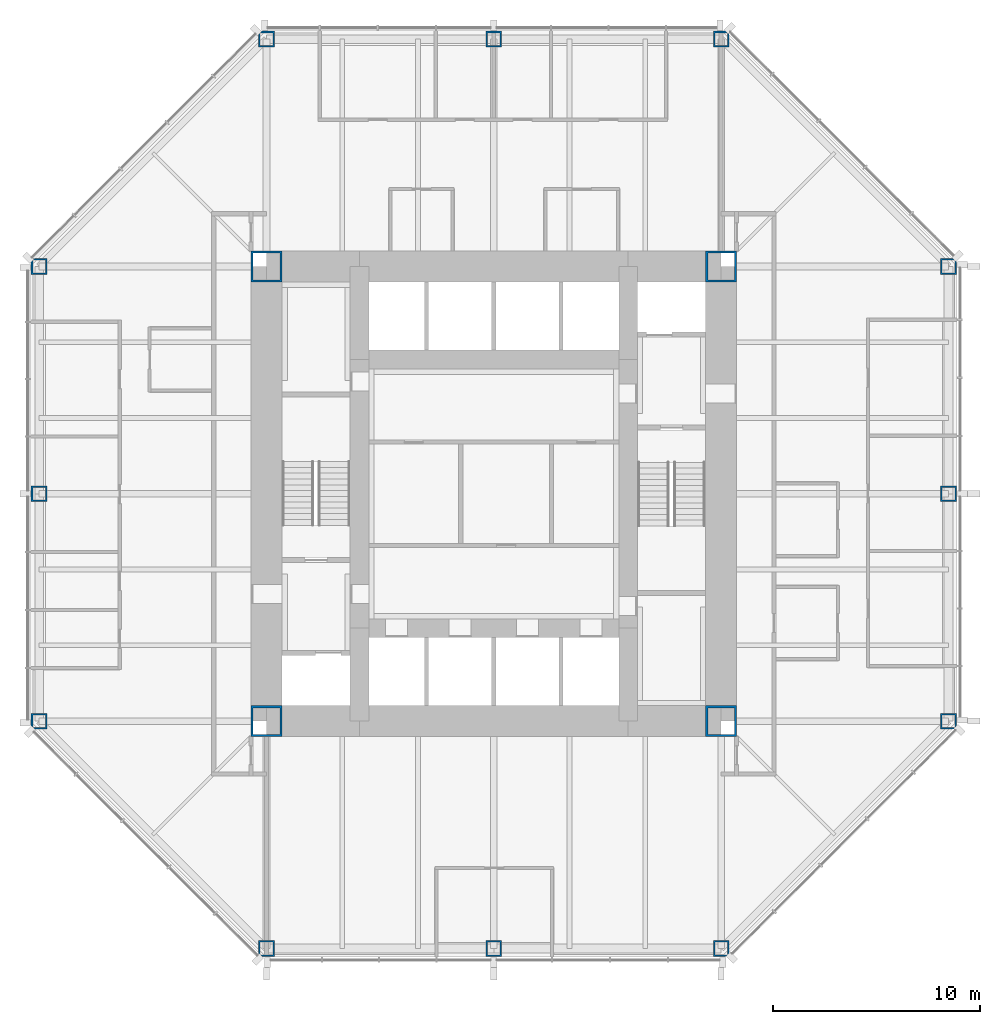
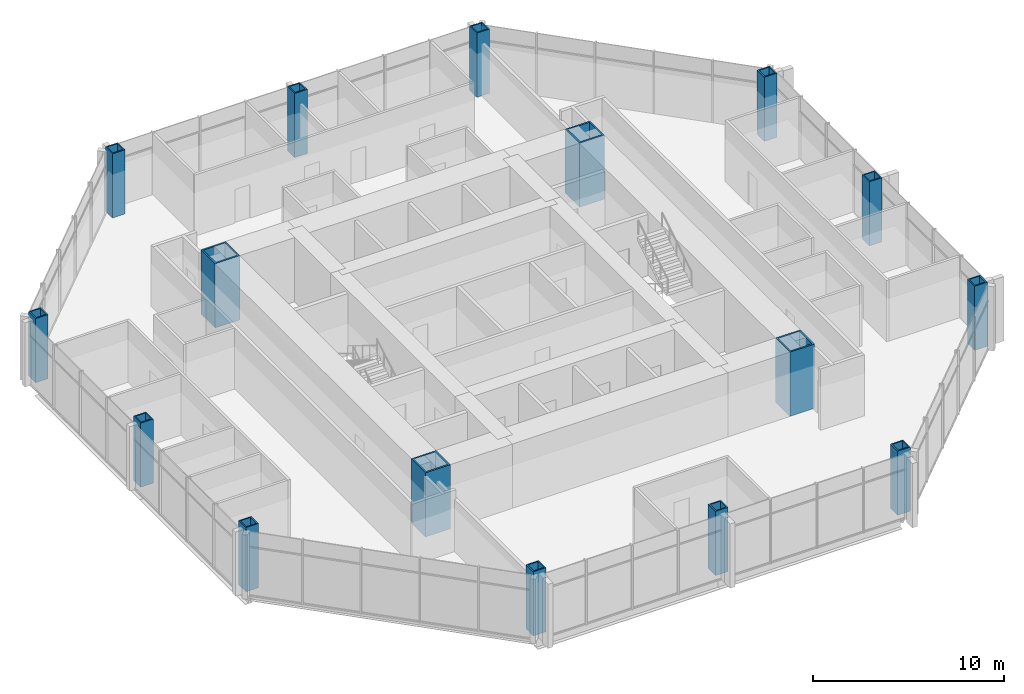
# One storey, part 1 of 12: 16 columns.
"""IFC4 building model written with IfcOpenShell, lengths in metres."""

from ifc_helpers import new_model, si_unit, direction, frame, origin, origin_2d, place, context, subcontext, project, spatial, hollow_rectangle, extrude, material, material_profile, profile_set, type_object, element, save


model = new_model("IFC4")

# Units and contexts
model_context = context("Model", 3, precision=1e-05, world=origin(), true_north=direction((0.0, 1.0)))
body_context = subcontext(model_context, "Body", "Model", "MODEL_VIEW")
ifc_project = project(units=[si_unit("LENGTHUNIT", "METRE"), si_unit("AREAUNIT", "SQUARE_METRE"), si_unit("VOLUMEUNIT", "CUBIC_METRE"), si_unit("PLANEANGLEUNIT", "RADIAN"), si_unit("MASSUNIT", "GRAM", prefix="KILO")], contexts=[model_context])

# Site, building, storey
site_placement = place(None, origin())
site = spatial("IfcSite", under=ifc_project, at=site_placement, CompositionType="ELEMENT")
building_placement = place(site_placement, origin())
building = spatial("IfcBuilding", under=site, at=building_placement, Name="Trevanion Tower", CompositionType="ELEMENT")
storey_placement = place(building_placement, frame((0.0, 0.0, 133.60009765625)))
storey = spatial("IfcBuildingStorey", under=building, at=storey_placement, Name="L31", CompositionType="ELEMENT", Elevation=133.60009765625)

# Columns
ifc_material_1 = material(Name="Steel ASTM A572 Grade 50", Category="steel")
ifc_material_profile_1 = material_profile(ifc_material_1, hollow_rectangle(XDim=0.761962890625, YDim=0.761962890625, WallThickness=0.076171875, at=origin_2d()), Name="BOX30X30X3")
ifc_profile_set_1 = profile_set([ifc_material_profile_1], Name="Steel ASTM A572 Grade 50")
column_type_1 = type_object("IfcColumnType", Name="C4 BOX30X30X3", PredefinedType="COLUMN", material=ifc_profile_set_1)
for number, where, z_axis, x_axis, name in (
    (1, (-22.0, 0.0, 0.0), (0.0, 0.0, 1.0), (0.0, 1.0, 0.0), "C4 4/H L31"),
    (2, (-22.0, -11.0, 0.0), (0.0, 0.0, 1.0), (0.0, 1.0, 0.0), "C4 4/F L31"),
    (3, (-11.0, -22.0, 0.0), (0.0, 0.0, 1.0), (1.0, 0.0, 0.0), "C4 8/B L31"),
    (4, (0.0, -22.0, 0.0), (0.0, 0.0, 1.0), (1.0, 0.0, 0.0), "C4 10/B L31"),
    (5, (11.0, -22.0, 0.0), (0.0, 0.0, 1.0), (1.0, 0.0, 0.0), "C4 12/B L31"),
    (6, (22.0, -11.0, 0.0), (0.0, 0.0, 1.0), (0.0, 1.0, 0.0), "C4 16/F L31"),
    (7, (22.0, 0.0, 0.0), (0.0, 0.0, 1.0), (0.0, 1.0, 0.0), "C4 16/H L31"),
    (8, (22.0, 11.0, 0.0), (0.0, 0.0, 1.0), (0.0, 1.0, 0.0), "C4 16/K L31"),
    (9, (11.0, 22.0, 0.0), (0.0, 0.0, 1.0), (1.0, 0.0, 0.0), "C4 12/P L31"),
    (10, (0.0, 22.0, 0.0), (0.0, 0.0, 1.0), (1.0, 0.0, 0.0), "C4 10/P L31"),
    (11, (-11.0, 22.0, 0.0), (0.0, 0.0, 1.0), (1.0, 0.0, 0.0), "C4 8/P L31"),
    (12, (-22.0, 11.0, 0.0), (0.0, 0.0, 1.0), (0.0, 1.0, 0.0), "C4 4/K L31"),
):
    element("IfcColumn", number, at=place(storey_placement, frame(where, z_axis=z_axis, x_axis=x_axis)), inside=storey, type_object=column_type_1, Name=name, PredefinedType="COLUMN", context=body_context, shape_type="SweptSolid", body=[
        extrude(hollow_rectangle(XDim=0.761962890625, YDim=0.761962890625, WallThickness=0.076171875, at=origin_2d()), origin(), (0.0, 0.0, 1.0), 4.099853515625),
    ])
ifc_material_2 = material(Name="Steel ASTM A572 Grade 50", Category="steel")
ifc_material_profile_2 = material_profile(ifc_material_2, hollow_rectangle(XDim=1.49853515625, YDim=1.49853515625, WallThickness=0.1015625, at=origin_2d()), Name="BOX59X59X4")
ifc_profile_set_2 = profile_set([ifc_material_profile_2], Name="Steel ASTM A572 Grade 50")
column_type_2 = type_object("IfcColumnType", Name="CB1 BOX59X59X4", PredefinedType="COLUMN", material=ifc_profile_set_2)
for number, where, z_axis, x_axis, name in (
    (13, (11.0, 11.0, 0.0), (0.0, 0.0, 1.0), (1.0, 0.0, 0.0), "CB1 NE L31"),
    (14, (-11.0, 11.0, 0.0), (0.0, 0.0, 1.0), (1.0, 0.0, 0.0), "CB1 NW L31"),
    (15, (-11.0, -11.0, 0.0), (0.0, 0.0, 1.0), (1.0, 0.0, 0.0), "CB1 SW L31"),
    (16, (11.0, -11.0, 0.0), (0.0, 0.0, 1.0), (1.0, 0.0, 0.0), "CB1 SE L31"),
):
    element("IfcColumn", number, at=place(storey_placement, frame(where, z_axis=z_axis, x_axis=x_axis)), inside=storey, type_object=column_type_2, Name=name, PredefinedType="COLUMN", context=body_context, shape_type="SweptSolid", body=[
        extrude(hollow_rectangle(XDim=1.49853515625, YDim=1.49853515625, WallThickness=0.1015625, at=origin_2d()), origin(), (0.0, 0.0, 1.0), 4.099853515625),
    ])

save(model, "model.ifc")
